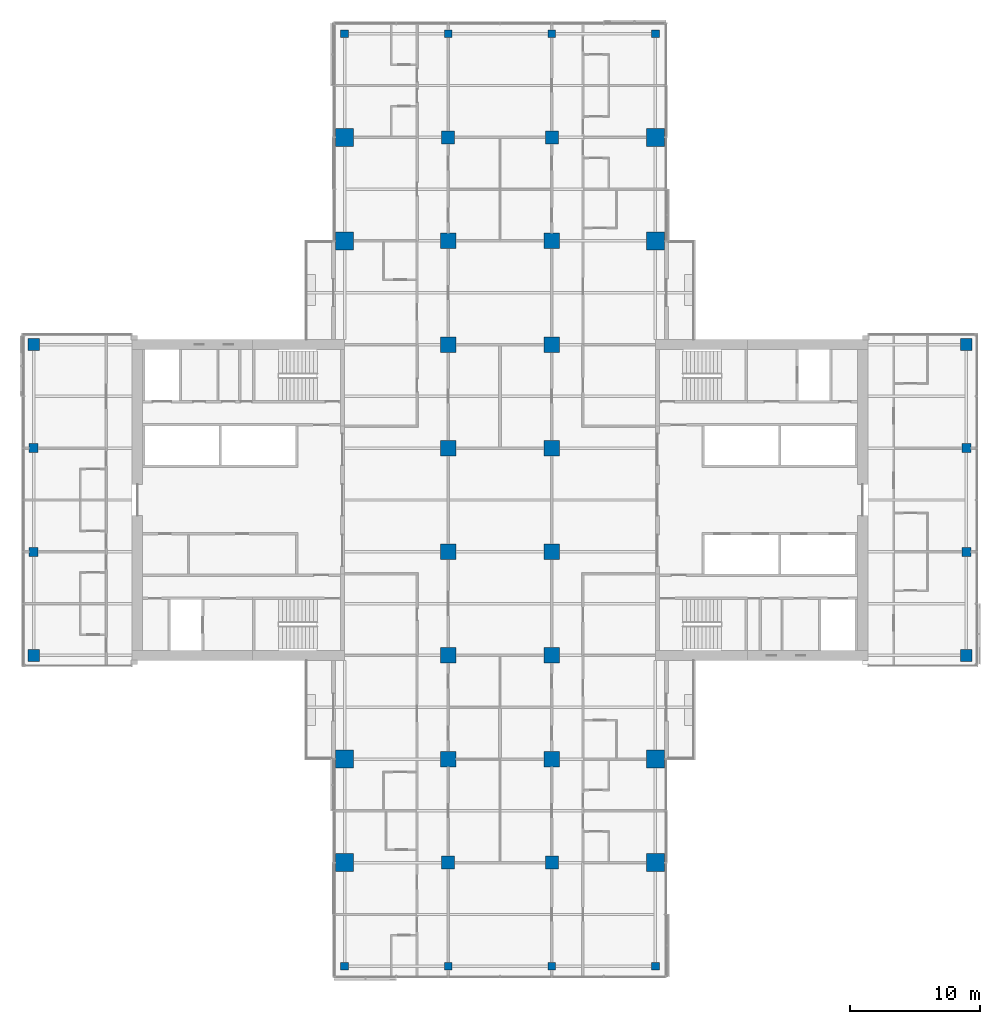
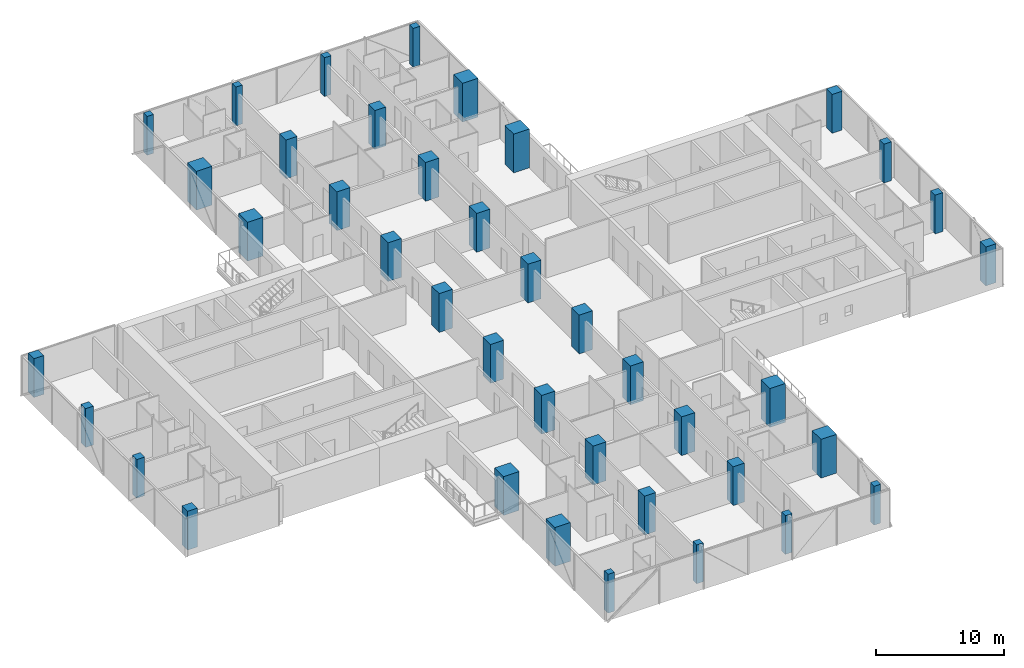
# One storey, part 1 of 27: 40 columns.
"""IFC4 building model written with IfcOpenShell, lengths in metres."""

import ifcopenshell
import ifcopenshell.guid

model = None  # the IFC model being written
_history = None  # IfcOwnerHistory: only IFC2X3 demands one
_inside = {}  # id of a spatial element -> (the spatial element, [elements in it])
_under = {}  # id of a project, library or spatial element -> (it, [spatial elements below it])
_declared = {}  # id of a project -> (the project, [libraries it declares])
_typed = {}  # id of a type object -> (the type object, [elements of that type])
_made_of = {}  # id of a material, layer set ... -> (it, [elements and type objects made of it])


def new_model(schema):
    """Start an empty IFC model of exactly this schema.

    Asked for "IFC4X3", IfcOpenShell would pick the latest addendum, in which some entities
    have other attributes; the version numbers below select the first issue.
    IFC2X3 requires an IfcOwnerHistory on every rooted entity: one is made here for all.
    """
    global model, _history
    if schema == "IFC4X3":
        model = ifcopenshell.file(schema_version=(4, 3, 0, 0))
    else:
        model = ifcopenshell.file(schema=schema)
    _inside.clear()
    _under.clear()
    _declared.clear()
    _typed.clear()
    _made_of.clear()
    _history = None
    if model.schema == "IFC2X3":
        org = make("IfcOrganization", Name="unknown")
        user = make(
            "IfcPersonAndOrganization",
            ThePerson=make("IfcPerson", FamilyName="unknown"),
            TheOrganization=org,
        )
        app = make(
            "IfcApplication",
            ApplicationDeveloper=org,
            Version="unknown",
            ApplicationFullName="unknown",
            ApplicationIdentifier="unknown",
        )
        _history = make(
            "IfcOwnerHistory",
            OwningUser=user,
            OwningApplication=app,
            ChangeAction="ADDED",
            CreationDate=0,
        )
    return model


def make(cls, **values):
    """One entity of the class cls with the attributes given. An attribute that is None is left unset."""
    return model.create_entity(
        cls, **{name: value for name, value in values.items() if value is not None}
    )


def rooted(cls, **values):
    """An entity with a GlobalId (a new one), such as an element, a storey or a relation."""
    return make(cls, GlobalId=ifcopenshell.guid.new(), OwnerHistory=_history, **values)


def si_unit(unit_type, name, prefix=None):
    """IfcSIUnit, for example si_unit("LENGTHUNIT", "METRE", prefix="MILLI")."""
    return make("IfcSIUnit", UnitType=unit_type, Prefix=prefix, Name=name)


def assignment(units):
    """IfcUnitAssignment: the units of a project."""
    return None if units is None else make("IfcUnitAssignment", Units=units)


def point(xyz):
    """IfcCartesianPoint."""
    return None if xyz is None else make("IfcCartesianPoint", Coordinates=xyz)


def direction(xyz):
    """IfcDirection."""
    return None if xyz is None else make("IfcDirection", DirectionRatios=xyz)


def frame(location, z_axis=None, x_axis=None):
    """IfcAxis2Placement3D, a coordinate frame: its origin and axes. An axis left out is left unset."""
    return make(
        "IfcAxis2Placement3D",
        Location=point(location),
        Axis=direction(z_axis),
        RefDirection=direction(x_axis),
    )


def frame_2d(location, x_axis=None):
    """IfcAxis2Placement2D, a coordinate frame in the plane: its origin and x axis."""
    return make(
        "IfcAxis2Placement2D", Location=point(location), RefDirection=direction(x_axis)
    )


def origin():
    """The frame at (0, 0, 0) with its axes left unset."""
    return frame((0.0, 0.0, 0.0))


def origin_2d():
    """The frame at (0, 0) in the plane with its x axis left unset."""
    return frame_2d((0.0, 0.0))


def place(relative_to, where):
    """IfcLocalPlacement: puts the frame where relative to a parent placement (None: the world)."""
    return make(
        "IfcLocalPlacement", PlacementRelTo=relative_to, RelativePlacement=where
    )


def context(
    kind, dimensions, precision=None, world=None, true_north=None, identifier=None
):
    """IfcGeometricRepresentationContext, for example the 3D "Model" context."""
    return make(
        "IfcGeometricRepresentationContext",
        ContextIdentifier=identifier,
        ContextType=kind,
        CoordinateSpaceDimension=dimensions,
        Precision=precision,
        WorldCoordinateSystem=world,
        TrueNorth=true_north,
    )


def subcontext(parent, identifier, kind, view, scale=None):
    """IfcGeometricRepresentationSubContext, for example "Body" below "Model"."""
    return make(
        "IfcGeometricRepresentationSubContext",
        ContextIdentifier=identifier,
        ContextType=kind,
        ParentContext=parent,
        TargetScale=scale,
        TargetView=view,
    )


def project(units=None, contexts=None):
    """IfcProject with its units and contexts."""
    return rooted(
        "IfcProject",
        Name="project",
        RepresentationContexts=contexts,
        UnitsInContext=assignment(units),
    )


def spatial(cls, under=None, at=None, **own):
    """A site, building, storey or space (cls), placed at a placement, below another one or the project."""
    s = rooted(cls, ObjectPlacement=at, **own)
    if under is not None:
        _under.setdefault(under.id(), (under, []))[1].append(s)
    return s


def profile(cls, at=None, kind="AREA", **sizes):
    """A parametric profile (cls). Its sizes go by their IFC names, for example OverallWidth=200.0."""
    return make(cls, ProfileType=kind, Position=at, **sizes)


def rectangle(**sizes):
    """IfcRectangleProfileDef."""
    return profile("IfcRectangleProfileDef", **sizes)


def extrude(swept, where, along, depth):
    """IfcExtrudedAreaSolid: the profile swept, set in the frame where, extruded along a direction by depth."""
    return make(
        "IfcExtrudedAreaSolid",
        SweptArea=swept,
        Position=where,
        ExtrudedDirection=direction(along),
        Depth=depth,
    )


def shape(context_of_items, identifier, shape_type, items):
    """IfcShapeRepresentation: the items that make up one representation, for example the "Body"."""
    return make(
        "IfcShapeRepresentation",
        ContextOfItems=context_of_items,
        RepresentationIdentifier=identifier,
        RepresentationType=shape_type,
        Items=items,
    )


def material(Name=None, Category=None):
    """IfcMaterial."""
    return make("IfcMaterial", Name=Name, Category=Category)


def material_profile(
    of_material, cross_section, Name=None, Category=None, Priority=None
):
    """IfcMaterialProfile: a cross section and its material."""
    return make(
        "IfcMaterialProfile",
        Name=Name,
        Material=of_material,
        Profile=cross_section,
        Priority=Priority,
        Category=Category,
    )


def profile_set(profiles, Name=None, composite=None):
    """IfcMaterialProfileSet."""
    return make(
        "IfcMaterialProfileSet",
        Name=Name,
        MaterialProfiles=profiles,
        CompositeProfile=composite,
    )


def made_of(thing, what):
    """Note that an element or type object is made of a material, layer set ...; save() writes the relation."""
    if what is not None:
        _made_of.setdefault(what.id(), (what, []))[1].append(thing)
    return thing


def type_object(cls, material=None, **own):
    """A type object (cls), such as IfcWallType, which elements share."""
    return made_of(rooted(cls, **own), material)


def element(
    cls,
    number,
    at=None,
    inside=None,
    cuts=None,
    type_object=None,
    material=None,
    context=None,
    identifier="Body",
    shape_type=None,
    held_by="IfcProductDefinitionShape",
    body=None,
    shapes=None,
    **own,
):
    """One element of the class cls, such as IfcWall. Its Tag is "e" and its number.

    at: its placement. inside: the storey or other place that contains it. cuts: it is an
    opening in that element (IfcRelVoidsElement). A single representation is given by context,
    identifier, shape_type and body (its items); several are given by shapes. held_by: the class
    of the entity that holds the representations. save() writes the other relations.
    """
    e = rooted(cls, Tag="e%d" % number, ObjectPlacement=at, **own)
    if body is not None:
        shapes = [shape(context, identifier, shape_type, body)]
    if shapes is not None:
        e.Representation = make(held_by, Representations=shapes)
    if inside is not None:
        _inside.setdefault(inside.id(), (inside, []))[1].append(e)
    if cuts is not None:
        rooted(
            "IfcRelVoidsElement", RelatingBuildingElement=cuts, RelatedOpeningElement=e
        )
    if type_object is not None:
        _typed.setdefault(type_object.id(), (type_object, []))[1].append(e)
    return made_of(e, material)


def aggregate(whole, parts):
    """IfcRelAggregates: a whole, such as a stair, and the parts it consists of."""
    return rooted("IfcRelAggregates", RelatingObject=whole, RelatedObjects=parts)


def save(model, path):
    """Write the relations noted so far, then the file.

    IfcRelAggregates (storeys below a building ...), IfcRelContainedInSpatialStructure (elements
    in a storey), IfcRelDefinesByType, IfcRelAssociatesMaterial and IfcRelDeclares: one each for
    every whole, place, type object, material and project.
    """
    for whole, parts in _under.values():
        aggregate(whole, parts)
    for where, things in _inside.values():
        rooted(
            "IfcRelContainedInSpatialStructure",
            RelatedElements=things,
            RelatingStructure=where,
        )
    for kind, things in _typed.values():
        rooted("IfcRelDefinesByType", RelatedObjects=things, RelatingType=kind)
    for what, things in _made_of.values():
        rooted("IfcRelAssociatesMaterial", RelatedObjects=things, RelatingMaterial=what)
    for by, libraries in _declared.values():
        rooted("IfcRelDeclares", RelatingContext=by, RelatedDefinitions=libraries)
    model.write(path)


model = new_model("IFC4")

# Units and contexts
model_context = context("Model", 3, precision=1e-05, world=origin(), true_north=direction((0.0, 1.0)))
body_context = subcontext(model_context, "Body", "Model", "MODEL_VIEW")
ifc_project = project(units=[si_unit("LENGTHUNIT", "METRE"), si_unit("AREAUNIT", "SQUARE_METRE"), si_unit("VOLUMEUNIT", "CUBIC_METRE"), si_unit("PLANEANGLEUNIT", "RADIAN"), si_unit("MASSUNIT", "GRAM", prefix="KILO")], contexts=[model_context])

# Site, building, storey
site_placement = place(None, origin())
site = spatial("IfcSite", under=ifc_project, at=site_placement, CompositionType="ELEMENT")
building_placement = place(site_placement, origin())
building = spatial("IfcBuilding", under=site, at=building_placement, Name="Crosswind Convention Tower", CompositionType="ELEMENT")
storey_placement = place(building_placement, frame((0.0, 0.0, 83.10009765625)))
storey = spatial("IfcBuildingStorey", under=building, at=storey_placement, Name="L15", CompositionType="ELEMENT", Elevation=83.10009765625)

# Columns
ifc_material_1 = material(Name="Concrete C70/85", Category="concrete")
ifc_material_profile_1 = material_profile(ifc_material_1, rectangle(XDim=1.0, YDim=1.0, at=origin_2d()), Name="RC 1000X1000")
ifc_profile_set_1 = profile_set([ifc_material_profile_1], Name="Concrete C70/85")
column_type_1 = type_object("IfcColumnType", Name="Column RC 1000X1000", PredefinedType="COLUMN", material=ifc_profile_set_1)
for number, where, z_axis, x_axis, name in (
    (1, (121.0, 72.0, 0.0), (0.0, 0.0, 1.0), (1.0, 0.0, 0.0), "C12 L15 6/C"),
    (2, (121.0, 128.0, 0.0), (0.0, 0.0, 1.0), (1.0, 0.0, 0.0), "C12 L15 6/J"),
    (3, (129.0, 72.0, 0.0), (0.0, 0.0, 1.0), (1.0, 0.0, 0.0), "C12 L15 7/C"),
    (4, (129.0, 128.0, 0.0), (0.0, 0.0, 1.0), (1.0, 0.0, 0.0), "C12 L15 7/J"),
):
    element("IfcColumn", number, at=place(storey_placement, frame(where, z_axis=z_axis, x_axis=x_axis)), inside=storey, type_object=column_type_1, Name=name, PredefinedType="COLUMN", context=body_context, shape_type="SweptSolid", body=[
        extrude(rectangle(XDim=1.0, YDim=1.0, at=origin_2d()), origin(), (0.0, 0.0, 1.0), 3.699951171875),
    ])
ifc_material_profile_2 = material_profile(ifc_material_1, rectangle(XDim=1.199951171875, YDim=1.199951171875, at=origin_2d()), Name="RC 1200X1200")
ifc_profile_set_2 = profile_set([ifc_material_profile_2], Name="Concrete C70/85")
column_type_2 = type_object("IfcColumnType", Name="Column RC 1200X1200", PredefinedType="COLUMN", material=ifc_profile_set_2)
for number, where, z_axis, x_axis, name in (
    (5, (121.0, 80.0, 0.0), (0.0, 0.0, 1.0), (1.0, 0.0, 0.0), "C11 L15 6/D"),
    (6, (121.0, 88.0, 0.0), (0.0, 0.0, 1.0), (1.0, 0.0, 0.0), "C11 L15 6/E"),
    (7, (121.0, 96.0, 0.0), (0.0, 0.0, 1.0), (1.0, 0.0, 0.0), "C11 L15 6/F"),
    (8, (121.0, 104.0, 0.0), (0.0, 0.0, 1.0), (1.0, 0.0, 0.0), "C11 L15 6/G"),
    (9, (121.0, 112.0, 0.0), (0.0, 0.0, 1.0), (1.0, 0.0, 0.0), "C11 L15 6/H"),
    (10, (121.0, 120.0, 0.0), (0.0, 0.0, 1.0), (1.0, 0.0, 0.0), "C11 L15 6/I"),
    (11, (129.0, 80.0, 0.0), (0.0, 0.0, 1.0), (1.0, 0.0, 0.0), "C11 L15 7/D"),
    (12, (129.0, 88.0, 0.0), (0.0, 0.0, 1.0), (1.0, 0.0, 0.0), "C11 L15 7/E"),
    (13, (129.0, 96.0, 0.0), (0.0, 0.0, 1.0), (1.0, 0.0, 0.0), "C11 L15 7/F"),
    (14, (129.0, 104.0, 0.0), (0.0, 0.0, 1.0), (1.0, 0.0, 0.0), "C11 L15 7/G"),
    (15, (129.0, 112.0, 0.0), (0.0, 0.0, 1.0), (1.0, 0.0, 0.0), "C11 L15 7/H"),
    (16, (129.0, 120.0, 0.0), (0.0, 0.0, 1.0), (1.0, 0.0, 0.0), "C11 L15 7/I"),
):
    element("IfcColumn", number, at=place(storey_placement, frame(where, z_axis=z_axis, x_axis=x_axis)), inside=storey, type_object=column_type_2, Name=name, PredefinedType="COLUMN", context=body_context, shape_type="SweptSolid", body=[
        extrude(rectangle(XDim=1.199951171875, YDim=1.199951171875, at=origin_2d()), origin(), (0.0, 0.0, 1.0), 3.699951171875),
    ])
ifc_material_2 = material(Name="Concrete C80/95", Category="concrete")
ifc_material_profile_3 = material_profile(ifc_material_2, rectangle(XDim=1.39990234375, YDim=1.39990234375, at=origin_2d()), Name="RC 1400X1400")
ifc_profile_set_3 = profile_set([ifc_material_profile_3], Name="Concrete C80/95")
column_type_3 = type_object("IfcColumnType", Name="Column RC 1400X1400", PredefinedType="COLUMN", material=ifc_profile_set_3)
for number, where, z_axis, x_axis, name in (
    (17, (113.0, 72.0, 0.0), (0.0, 0.0, 1.0), (1.0, 0.0, 0.0), "C10 L15 5/C"),
    (18, (113.0, 80.0, 0.0), (0.0, 0.0, 1.0), (1.0, 0.0, 0.0), "C10 L15 5/D"),
    (19, (113.0, 120.0, 0.0), (0.0, 0.0, 1.0), (1.0, 0.0, 0.0), "C10 L15 5/I"),
    (20, (113.0, 128.0, 0.0), (0.0, 0.0, 1.0), (1.0, 0.0, 0.0), "C10 L15 5/J"),
    (21, (137.0, 72.0, 0.0), (0.0, 0.0, 1.0), (1.0, 0.0, 0.0), "C10 L15 8/C"),
    (22, (137.0, 80.0, 0.0), (0.0, 0.0, 1.0), (1.0, 0.0, 0.0), "C10 L15 8/D"),
    (23, (137.0, 120.0, 0.0), (0.0, 0.0, 1.0), (1.0, 0.0, 0.0), "C10 L15 8/I"),
    (24, (137.0, 128.0, 0.0), (0.0, 0.0, 1.0), (1.0, 0.0, 0.0), "C10 L15 8/J"),
):
    element("IfcColumn", number, at=place(storey_placement, frame(where, z_axis=z_axis, x_axis=x_axis)), inside=storey, type_object=column_type_3, Name=name, PredefinedType="COLUMN", context=body_context, shape_type="SweptSolid", body=[
        extrude(rectangle(XDim=1.39990234375, YDim=1.39990234375, at=origin_2d()), origin(), (0.0, 0.0, 1.0), 3.699951171875),
    ])
ifc_material_3 = material(Name="Concrete C60/75", Category="concrete")
ifc_material_profile_4 = material_profile(ifc_material_3, rectangle(XDim=0.60009765625, YDim=0.60009765625, at=origin_2d()), Name="RC 600X600")
ifc_profile_set_4 = profile_set([ifc_material_profile_4], Name="Concrete C60/75")
column_type_4 = type_object("IfcColumnType", Name="Column RC 600X600", PredefinedType="COLUMN", material=ifc_profile_set_4)
for number, where, z_axis, x_axis, name in (
    (25, (113.0, 64.0, 0.0), (0.0, 0.0, 1.0), (1.0, 0.0, 0.0), "C16 L15 5/B"),
    (26, (113.0, 136.0, 0.0), (0.0, 0.0, 1.0), (1.0, 0.0, 0.0), "C16 L15 5/K"),
    (27, (121.0, 64.0, 0.0), (0.0, 0.0, 1.0), (1.0, 0.0, 0.0), "C16 L15 6/B"),
    (28, (121.0, 136.0, 0.0), (0.0, 0.0, 1.0), (1.0, 0.0, 0.0), "C16 L15 6/K"),
    (29, (129.0, 64.0, 0.0), (0.0, 0.0, 1.0), (1.0, 0.0, 0.0), "C16 L15 7/B"),
    (30, (129.0, 136.0, 0.0), (0.0, 0.0, 1.0), (1.0, 0.0, 0.0), "C16 L15 7/K"),
    (31, (137.0, 64.0, 0.0), (0.0, 0.0, 1.0), (1.0, 0.0, 0.0), "C16 L15 8/B"),
    (32, (137.0, 136.0, 0.0), (0.0, 0.0, 1.0), (1.0, 0.0, 0.0), "C16 L15 8/K"),
):
    element("IfcColumn", number, at=place(storey_placement, frame(where, z_axis=z_axis, x_axis=x_axis)), inside=storey, type_object=column_type_4, Name=name, PredefinedType="COLUMN", context=body_context, shape_type="SweptSolid", body=[
        extrude(rectangle(XDim=0.60009765625, YDim=0.60009765625, at=origin_2d()), origin(), (0.0, 0.0, 1.0), 3.699951171875),
    ])
ifc_material_profile_5 = material_profile(ifc_material_3, rectangle(XDim=0.699951171875, YDim=0.699951171875, at=origin_2d()), Name="RC 700X700")
ifc_profile_set_5 = profile_set([ifc_material_profile_5], Name="Concrete C60/75")
column_type_5 = type_object("IfcColumnType", Name="Column RC 700X700", PredefinedType="COLUMN", material=ifc_profile_set_5)
for number, where, z_axis, x_axis, name in (
    (33, (89.0, 96.0, 0.0), (0.0, 0.0, 1.0), (1.0, 0.0, 0.0), "C15 L15 2/F"),
    (34, (89.0, 104.0, 0.0), (0.0, 0.0, 1.0), (1.0, 0.0, 0.0), "C15 L15 2/G"),
    (35, (161.0, 96.0, 0.0), (0.0, 0.0, 1.0), (1.0, 0.0, 0.0), "C15 L15 11/F"),
    (36, (161.0, 104.0, 0.0), (0.0, 0.0, 1.0), (1.0, 0.0, 0.0), "C15 L15 11/G"),
):
    element("IfcColumn", number, at=place(storey_placement, frame(where, z_axis=z_axis, x_axis=x_axis)), inside=storey, type_object=column_type_5, Name=name, PredefinedType="COLUMN", context=body_context, shape_type="SweptSolid", body=[
        extrude(rectangle(XDim=0.699951171875, YDim=0.699951171875, at=origin_2d()), origin(), (0.0, 0.0, 1.0), 3.699951171875),
    ])
ifc_material_profile_6 = material_profile(ifc_material_3, rectangle(XDim=0.89990234375, YDim=0.89990234375, at=origin_2d()), Name="RC 900X900")
ifc_profile_set_6 = profile_set([ifc_material_profile_6], Name="Concrete C60/75")
column_type_6 = type_object("IfcColumnType", Name="Column RC 900X900", PredefinedType="COLUMN", material=ifc_profile_set_6)
for number, where, z_axis, x_axis, name in (
    (37, (89.0, 88.0, 0.0), (0.0, 0.0, 1.0), (1.0, 0.0, 0.0), "C13 L15 2/E"),
    (38, (89.0, 112.0, 0.0), (0.0, 0.0, 1.0), (1.0, 0.0, 0.0), "C13 L15 2/H"),
    (39, (161.0, 88.0, 0.0), (0.0, 0.0, 1.0), (1.0, 0.0, 0.0), "C13 L15 11/E"),
    (40, (161.0, 112.0, 0.0), (0.0, 0.0, 1.0), (1.0, 0.0, 0.0), "C13 L15 11/H"),
):
    element("IfcColumn", number, at=place(storey_placement, frame(where, z_axis=z_axis, x_axis=x_axis)), inside=storey, type_object=column_type_6, Name=name, PredefinedType="COLUMN", context=body_context, shape_type="SweptSolid", body=[
        extrude(rectangle(XDim=0.89990234375, YDim=0.89990234375, at=origin_2d()), origin(), (0.0, 0.0, 1.0), 3.699951171875),
    ])

save(model, "model.ifc")
